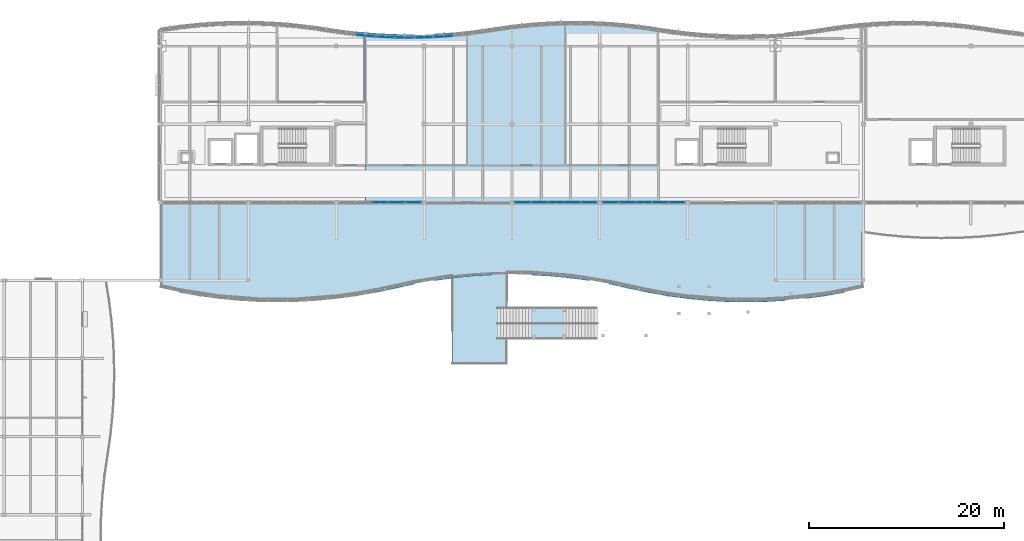
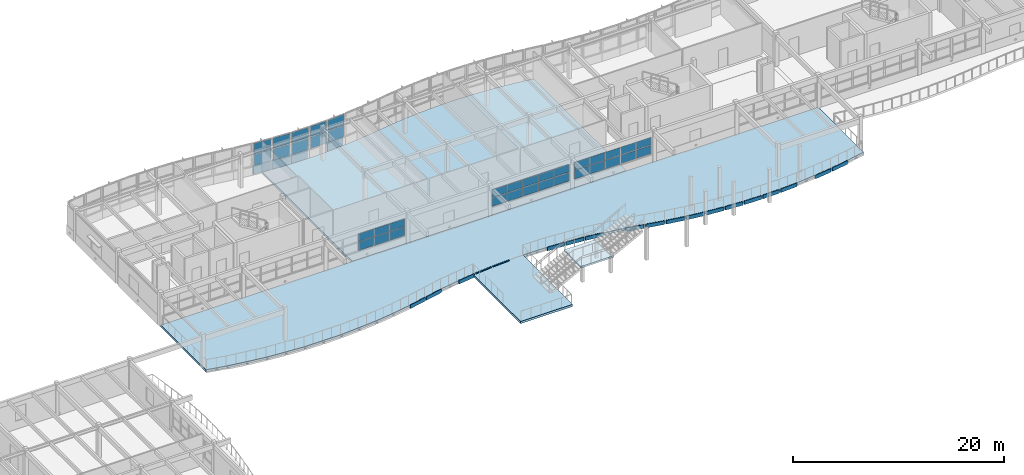
# One storey, part 32 of 63: 59 plates, 3 slabs, 9 elements without a shape of their own.
"""IFC4 building model written with IfcOpenShell, lengths in metres."""

from ifc_helpers import new_model, si_unit, direction, frame, origin, origin_2d, place, context, subcontext, project, spatial, polyline, rectangle, outline, extrude, material, layer, layer_set, type_object, element, aggregate, save


model = new_model("IFC4")

# Units and contexts
model_context = context("Model", 3, precision=1e-05, world=origin(), true_north=direction((0.0, 1.0)))
body_context = subcontext(model_context, "Body", "Model", "MODEL_VIEW")
ifc_project = project(units=[si_unit("LENGTHUNIT", "METRE"), si_unit("AREAUNIT", "SQUARE_METRE"), si_unit("VOLUMEUNIT", "CUBIC_METRE"), si_unit("PLANEANGLEUNIT", "RADIAN"), si_unit("MASSUNIT", "GRAM", prefix="KILO")], contexts=[model_context])

# Site, building, storey
site_placement = place(None, origin())
site = spatial("IfcSite", under=ifc_project, at=site_placement, CompositionType="ELEMENT")
building_placement = place(site_placement, origin())
building = spatial("IfcBuilding", under=site, at=building_placement, Name="Tonlespit Floodbar School", CompositionType="ELEMENT")
storey_placement = place(building_placement, frame((0.0, 0.0, 8.39990234375)))
storey = spatial("IfcBuildingStorey", under=building, at=storey_placement, Name="L02", CompositionType="ELEMENT", Elevation=8.39990234375)

# Curtain wall, plates
ifc_material_1 = material(Name="Anodised Aluminium", Category="aluminium")
ifc_layer_1 = layer(ifc_material_1, 0.159912109375)
ifc_layer_set_1 = layer_set([ifc_layer_1], Name="Anodised Aluminium")
curtain_wall_type_1 = type_object("IfcCurtainWallType", Name="CurtainWall_1900x2700", PredefinedType="NOTDEFINED", material=ifc_layer_set_1)
curtain_wall_1_placement = place(storey_placement, origin())
curtain_wall_1 = element("IfcCurtainWall", 1, at=curtain_wall_1_placement, inside=storey, type_object=curtain_wall_type_1, Name="L02 unitised curtain wall 0093", PredefinedType="NOTDEFINED")
ifc_material_2 = material(Name="Laminated Low-E Glass", Category="glass")
ifc_layer_2 = layer(ifc_material_2, 0.028076171875)
ifc_layer_set_2 = layer_set([ifc_layer_2], Name="Laminated Low-E Glass")
plate_type_1 = type_object("IfcPlateType", Name="CW_Panel_Glaz_28", PredefinedType="CURTAIN_PANEL", material=ifc_layer_set_2)
plate_1_placement = place(storey_placement, frame((67.0, 120.92041015625, 1.01513671875), z_axis=(0.0, 0.0, 1.0), x_axis=(0.998841500616, -0.048121270216, 0.0)))
plate_1 = element("IfcPlate", 2, at=plate_1_placement, type_object=plate_type_1, Name="CW-05 panel 1.1", PredefinedType="CURTAIN_PANEL", context=body_context, shape_type="SweptSolid", body=[
    extrude(rectangle(XDim=1.792236328125, YDim=0.028076171875, at=origin_2d()), origin(), (0.0, 0.0, 1.0), 1.306396484375),
])
plate_2_placement = place(storey_placement, frame((67.0, 120.92041015625, 2.38671875), z_axis=(0.0, 0.0, 1.0), x_axis=(0.998841500616, -0.048121270216, 0.0)))
plate_2 = element("IfcPlate", 3, at=plate_2_placement, type_object=plate_type_1, Name="CW-05 panel 1.2", PredefinedType="CURTAIN_PANEL", context=body_context, shape_type="SweptSolid", body=[
    extrude(rectangle(XDim=1.792236328125, YDim=0.028076171875, at=origin_2d()), origin(), (0.0, 0.0, 1.0), 1.198486328125),
])
aggregate(curtain_wall_1, [plate_1, plate_2])

ifc_layer_3 = layer(ifc_material_1, 0.159912109375)
ifc_layer_set_3 = layer_set([ifc_layer_3], Name="Anodised Aluminium")
curtain_wall_type_2 = type_object("IfcCurtainWallType", Name="CurtainWall_8500x2050", PredefinedType="NOTDEFINED", material=ifc_layer_set_3)
curtain_wall_2_placement = place(storey_placement, origin())
curtain_wall_2 = element("IfcCurtainWall", 4, at=curtain_wall_2_placement, inside=storey, type_object=curtain_wall_type_2, Name="L02 unitised curtain wall 0121", PredefinedType="NOTDEFINED")
plate_3_placement = place(storey_placement, frame((69.891845703125, 104.0, 1.01513671875), z_axis=(0.0, 0.0, 1.0), x_axis=(-1.0, 0.0, 0.0)))
plate_3 = element("IfcPlate", 5, at=plate_3_placement, type_object=plate_type_1, Name="CW-07 panel 1.1", PredefinedType="CURTAIN_PANEL", context=body_context, shape_type="SweptSolid", body=[
    extrude(rectangle(XDim=1.6064453125, YDim=0.028076171875, at=origin_2d()), origin(), (0.0, 0.0, 1.0), 0.97265625),
])
plate_4_placement = place(storey_placement, frame((69.891845703125, 104.0, 2.052734375), z_axis=(0.0, 0.0, 1.0), x_axis=(-1.0, 0.0, 0.0)))
plate_4 = element("IfcPlate", 6, at=plate_4_placement, type_object=plate_type_1, Name="CW-07 panel 1.2", PredefinedType="CURTAIN_PANEL", context=body_context, shape_type="SweptSolid", body=[
    extrude(rectangle(XDim=1.6064453125, YDim=0.028076171875, at=origin_2d()), origin(), (0.0, 0.0, 1.0), 0.890380859375),
])
plate_5_placement = place(storey_placement, frame((68.2041015625, 104.0, 1.01513671875), z_axis=(0.0, 0.0, 1.0), x_axis=(-1.0, 0.0, 0.0)))
plate_5 = element("IfcPlate", 7, at=plate_5_placement, type_object=plate_type_1, Name="CW-07 panel 2.1", PredefinedType="CURTAIN_PANEL", context=body_context, shape_type="SweptSolid", body=[
    extrude(rectangle(XDim=1.638916015625, YDim=0.028076171875, at=origin_2d()), origin(), (0.0, 0.0, 1.0), 0.97265625),
])
plate_6_placement = place(storey_placement, frame((68.2041015625, 104.0, 2.052734375), z_axis=(0.0, 0.0, 1.0), x_axis=(-1.0, 0.0, 0.0)))
plate_6 = element("IfcPlate", 8, at=plate_6_placement, type_object=plate_type_1, Name="CW-07 panel 2.2", PredefinedType="CURTAIN_PANEL", context=body_context, shape_type="SweptSolid", body=[
    extrude(rectangle(XDim=1.638916015625, YDim=0.028076171875, at=origin_2d()), origin(), (0.0, 0.0, 1.0), 0.890380859375),
])
plate_7_placement = place(storey_placement, frame((66.5, 104.0, 1.01513671875), z_axis=(0.0, 0.0, 1.0), x_axis=(-1.0, 0.0, 0.0)))
plate_7 = element("IfcPlate", 9, at=plate_7_placement, type_object=plate_type_1, Name="CW-07 panel 3.1", PredefinedType="CURTAIN_PANEL", context=body_context, shape_type="SweptSolid", body=[
    extrude(rectangle(XDim=1.638916015625, YDim=0.028076171875, at=origin_2d()), origin(), (0.0, 0.0, 1.0), 0.97265625),
])
plate_8_placement = place(storey_placement, frame((66.5, 104.0, 2.052734375), z_axis=(0.0, 0.0, 1.0), x_axis=(-1.0, 0.0, 0.0)))
plate_8 = element("IfcPlate", 10, at=plate_8_placement, type_object=plate_type_1, Name="CW-07 panel 3.2", PredefinedType="CURTAIN_PANEL", context=body_context, shape_type="SweptSolid", body=[
    extrude(rectangle(XDim=1.638916015625, YDim=0.028076171875, at=origin_2d()), origin(), (0.0, 0.0, 1.0), 0.890380859375),
])
aggregate(curtain_wall_2, [plate_3, plate_4, plate_5, plate_6, plate_7, plate_8])

curtain_wall_3_placement = place(storey_placement, origin())
curtain_wall_3 = element("IfcCurtainWall", 11, at=curtain_wall_3_placement, inside=storey, type_object=curtain_wall_type_1, Name="L02 unitised curtain wall 0094", PredefinedType="NOTDEFINED")
ifc_layer_4 = layer(ifc_material_2, 0.031982421875)
ifc_layer_set_4 = layer_set([ifc_layer_4], Name="Laminated Low-E Glass")
plate_type_2 = type_object("IfcPlateType", Name="CW_Panel_Glaz_32", PredefinedType="CURTAIN_PANEL", material=ifc_layer_set_4)
plate_9_placement = place(storey_placement, frame((69.0, 120.862548828125, 1.01513671875), z_axis=(0.0, 0.0, 1.0), x_axis=(0.999954083024, -0.009582893292, 0.0)))
plate_9 = element("IfcPlate", 12, at=plate_9_placement, type_object=plate_type_2, Name="CW-05 panel 1.1", PredefinedType="CURTAIN_PANEL", context=body_context, shape_type="SweptSolid", body=[
    extrude(rectangle(XDim=1.7900390625, YDim=0.031982421875, at=origin_2d()), origin(), (0.0, 0.0, 1.0), 1.306396484375),
])
plate_10_placement = place(storey_placement, frame((69.0, 120.862548828125, 2.38671875), z_axis=(0.0, 0.0, 1.0), x_axis=(0.999954083024, -0.009582893292, 0.0)))
plate_10 = element("IfcPlate", 13, at=plate_10_placement, type_object=plate_type_2, Name="CW-05 panel 1.2", PredefinedType="CURTAIN_PANEL", context=body_context, shape_type="SweptSolid", body=[
    extrude(rectangle(XDim=1.7900390625, YDim=0.031982421875, at=origin_2d()), origin(), (0.0, 0.0, 1.0), 1.198486328125),
])
aggregate(curtain_wall_3, [plate_9, plate_10])

curtain_wall_4_placement = place(storey_placement, origin())
curtain_wall_4 = element("IfcCurtainWall", 14, at=curtain_wall_4_placement, inside=storey, type_object=curtain_wall_type_1, Name="L02 unitised curtain wall 0095", PredefinedType="NOTDEFINED")
ifc_layer_5 = layer(ifc_material_2, 0.035888671875)
ifc_layer_set_5 = layer_set([ifc_layer_5], Name="Laminated Low-E Glass")
plate_type_3 = type_object("IfcPlateType", Name="CW_Panel_Glaz_36", PredefinedType="CURTAIN_PANEL", material=ifc_layer_set_5)
plate_11_placement = place(storey_placement, frame((71.0, 120.8818359375, 1.01513671875), z_axis=(0.0, 0.0, 1.0), x_axis=(0.999585477883, 0.028790144226, 0.0)))
plate_11 = element("IfcPlate", 15, at=plate_11_placement, type_object=plate_type_3, Name="CW-05 panel 1.1", PredefinedType="CURTAIN_PANEL", context=body_context, shape_type="SweptSolid", body=[
    extrude(rectangle(XDim=1.790771484375, YDim=0.035888671875, at=origin_2d()), origin(), (0.0, 0.0, 1.0), 1.306396484375),
])
plate_12_placement = place(storey_placement, frame((71.0, 120.8818359375, 2.38671875), z_axis=(0.0, 0.0, 1.0), x_axis=(0.999585477883, 0.028790144226, 0.0)))
plate_12 = element("IfcPlate", 16, at=plate_12_placement, type_object=plate_type_3, Name="CW-05 panel 1.2", PredefinedType="CURTAIN_PANEL", context=body_context, shape_type="SweptSolid", body=[
    extrude(rectangle(XDim=1.790771484375, YDim=0.035888671875, at=origin_2d()), origin(), (0.0, 0.0, 1.0), 1.198486328125),
])
aggregate(curtain_wall_4, [plate_11, plate_12])

curtain_wall_5_placement = place(storey_placement, origin())
curtain_wall_5 = element("IfcCurtainWall", 17, at=curtain_wall_5_placement, inside=storey, type_object=curtain_wall_type_2, Name="L02 unitised curtain wall 0119", PredefinedType="NOTDEFINED")
plate_13_placement = place(storey_placement, frame((96.891845703125, 104.0, 1.01513671875), z_axis=(0.0, 0.0, 1.0), x_axis=(-1.0, 0.0, 0.0)))
plate_13 = element("IfcPlate", 18, at=plate_13_placement, type_object=plate_type_3, Name="CW-07 panel 1.1", PredefinedType="CURTAIN_PANEL", context=body_context, shape_type="SweptSolid", body=[
    extrude(rectangle(XDim=1.6064453125, YDim=0.035888671875, at=origin_2d()), origin(), (0.0, 0.0, 1.0), 0.97265625),
])
plate_14_placement = place(storey_placement, frame((96.891845703125, 104.0, 2.052734375), z_axis=(0.0, 0.0, 1.0), x_axis=(-1.0, 0.0, 0.0)))
plate_14 = element("IfcPlate", 19, at=plate_14_placement, type_object=plate_type_3, Name="CW-07 panel 1.2", PredefinedType="CURTAIN_PANEL", context=body_context, shape_type="SweptSolid", body=[
    extrude(rectangle(XDim=1.6064453125, YDim=0.035888671875, at=origin_2d()), origin(), (0.0, 0.0, 1.0), 0.890380859375),
])
plate_15_placement = place(storey_placement, frame((95.2041015625, 104.0, 1.01513671875), z_axis=(0.0, 0.0, 1.0), x_axis=(-1.0, 0.0, 0.0)))
plate_15 = element("IfcPlate", 20, at=plate_15_placement, type_object=plate_type_3, Name="CW-07 panel 2.1", PredefinedType="CURTAIN_PANEL", context=body_context, shape_type="SweptSolid", body=[
    extrude(rectangle(XDim=1.638916015625, YDim=0.035888671875, at=origin_2d()), origin(), (0.0, 0.0, 1.0), 0.97265625),
])
plate_16_placement = place(storey_placement, frame((95.2041015625, 104.0, 2.052734375), z_axis=(0.0, 0.0, 1.0), x_axis=(-1.0, 0.0, 0.0)))
plate_16 = element("IfcPlate", 21, at=plate_16_placement, type_object=plate_type_3, Name="CW-07 panel 2.2", PredefinedType="CURTAIN_PANEL", context=body_context, shape_type="SweptSolid", body=[
    extrude(rectangle(XDim=1.638916015625, YDim=0.035888671875, at=origin_2d()), origin(), (0.0, 0.0, 1.0), 0.890380859375),
])
plate_17_placement = place(storey_placement, frame((93.5, 104.0, 1.01513671875), z_axis=(0.0, 0.0, 1.0), x_axis=(-1.0, 0.0, 0.0)))
plate_17 = element("IfcPlate", 22, at=plate_17_placement, type_object=plate_type_3, Name="CW-07 panel 3.1", PredefinedType="CURTAIN_PANEL", context=body_context, shape_type="SweptSolid", body=[
    extrude(rectangle(XDim=1.638916015625, YDim=0.035888671875, at=origin_2d()), origin(), (0.0, 0.0, 1.0), 0.97265625),
])
plate_18_placement = place(storey_placement, frame((93.5, 104.0, 2.052734375), z_axis=(0.0, 0.0, 1.0), x_axis=(-1.0, 0.0, 0.0)))
plate_18 = element("IfcPlate", 23, at=plate_18_placement, type_object=plate_type_3, Name="CW-07 panel 3.2", PredefinedType="CURTAIN_PANEL", context=body_context, shape_type="SweptSolid", body=[
    extrude(rectangle(XDim=1.638916015625, YDim=0.035888671875, at=origin_2d()), origin(), (0.0, 0.0, 1.0), 0.890380859375),
])
plate_19_placement = place(storey_placement, frame((91.7958984375, 104.0, 1.01513671875), z_axis=(0.0, 0.0, 1.0), x_axis=(-1.0, 0.0, 0.0)))
plate_19 = element("IfcPlate", 24, at=plate_19_placement, type_object=plate_type_3, Name="CW-07 panel 4.1", PredefinedType="CURTAIN_PANEL", context=body_context, shape_type="SweptSolid", body=[
    extrude(rectangle(XDim=1.638916015625, YDim=0.035888671875, at=origin_2d()), origin(), (0.0, 0.0, 1.0), 0.97265625),
])
plate_20_placement = place(storey_placement, frame((91.7958984375, 104.0, 2.052734375), z_axis=(0.0, 0.0, 1.0), x_axis=(-1.0, 0.0, 0.0)))
plate_20 = element("IfcPlate", 25, at=plate_20_placement, type_object=plate_type_3, Name="CW-07 panel 4.2", PredefinedType="CURTAIN_PANEL", context=body_context, shape_type="SweptSolid", body=[
    extrude(rectangle(XDim=1.638916015625, YDim=0.035888671875, at=origin_2d()), origin(), (0.0, 0.0, 1.0), 0.890380859375),
])
plate_21_placement = place(storey_placement, frame((90.108154296875, 104.0, 1.01513671875), z_axis=(0.0, 0.0, 1.0), x_axis=(-1.0, 0.0, 0.0)))
plate_21 = element("IfcPlate", 26, at=plate_21_placement, type_object=plate_type_3, Name="CW-07 panel 5.1", PredefinedType="CURTAIN_PANEL", context=body_context, shape_type="SweptSolid", body=[
    extrude(rectangle(XDim=1.6064453125, YDim=0.035888671875, at=origin_2d()), origin(), (0.0, 0.0, 1.0), 0.97265625),
])
plate_22_placement = place(storey_placement, frame((90.108154296875, 104.0, 2.052734375), z_axis=(0.0, 0.0, 1.0), x_axis=(-1.0, 0.0, 0.0)))
plate_22 = element("IfcPlate", 27, at=plate_22_placement, type_object=plate_type_3, Name="CW-07 panel 5.2", PredefinedType="CURTAIN_PANEL", context=body_context, shape_type="SweptSolid", body=[
    extrude(rectangle(XDim=1.6064453125, YDim=0.035888671875, at=origin_2d()), origin(), (0.0, 0.0, 1.0), 0.890380859375),
])
aggregate(curtain_wall_5, [plate_13, plate_14, plate_15, plate_16, plate_17, plate_18, plate_19, plate_20, plate_21, plate_22])

ifc_layer_6 = layer(ifc_material_1, 0.159912109375)
ifc_layer_set_6 = layer_set([ifc_layer_6], Name="Anodised Aluminium")
curtain_wall_type_3 = type_object("IfcCurtainWallType", Name="CurtainWall_1950x2700", PredefinedType="NOTDEFINED", material=ifc_layer_set_6)
curtain_wall_6_placement = place(storey_placement, origin())
curtain_wall_6 = element("IfcCurtainWall", 28, at=curtain_wall_6_placement, inside=storey, type_object=curtain_wall_type_3, Name="L02 unitised curtain wall 0092", PredefinedType="NOTDEFINED")
ifc_layer_7 = layer(ifc_material_2, 0.0419921875)
ifc_layer_set_7 = layer_set([ifc_layer_7], Name="Laminated Low-E Glass")
plate_type_4 = type_object("IfcPlateType", Name="CW_Panel_Glaz_42", PredefinedType="CURTAIN_PANEL", material=ifc_layer_set_7)
plate_23_placement = place(storey_placement, frame((65.0, 121.055419921875, 1.01513671875), z_axis=(0.0, 0.0, 1.0), x_axis=(0.996249148412, -0.086531117454, 0.0)))
plate_23 = element("IfcPlate", 29, at=plate_23_placement, type_object=plate_type_4, Name="CW-04 panel 1.1", PredefinedType="CURTAIN_PANEL", context=body_context, shape_type="SweptSolid", body=[
    extrude(rectangle(XDim=1.797607421875, YDim=0.0419921875, at=origin_2d()), origin(), (0.0, 0.0, 1.0), 1.306396484375),
])
plate_24_placement = place(storey_placement, frame((65.0, 121.055419921875, 2.38671875), z_axis=(0.0, 0.0, 1.0), x_axis=(0.996249148412, -0.086531117454, 0.0)))
plate_24 = element("IfcPlate", 30, at=plate_24_placement, type_object=plate_type_4, Name="CW-04 panel 1.2", PredefinedType="CURTAIN_PANEL", context=body_context, shape_type="SweptSolid", body=[
    extrude(rectangle(XDim=1.797607421875, YDim=0.0419921875, at=origin_2d()), origin(), (0.0, 0.0, 1.0), 1.198486328125),
])
aggregate(curtain_wall_6, [plate_23, plate_24])

curtain_wall_7_placement = place(storey_placement, origin())
curtain_wall_7 = element("IfcCurtainWall", 31, at=curtain_wall_7_placement, inside=storey, type_object=curtain_wall_type_1, Name="L02 unitised curtain wall 0096", PredefinedType="NOTDEFINED")
plate_25_placement = place(storey_placement, frame((73.0, 120.978271484375, 1.01513671875), z_axis=(0.0, 0.0, 1.0), x_axis=(0.99773010165, 0.067339767311, 0.0)))
plate_25 = element("IfcPlate", 32, at=plate_25_placement, type_object=plate_type_4, Name="CW-05 panel 1.1", PredefinedType="CURTAIN_PANEL", context=body_context, shape_type="SweptSolid", body=[
    extrude(rectangle(XDim=1.794677734375, YDim=0.0419921875, at=origin_2d()), origin(), (0.0, 0.0, 1.0), 1.306396484375),
])
plate_26_placement = place(storey_placement, frame((73.0, 120.978271484375, 2.38671875), z_axis=(0.0, 0.0, 1.0), x_axis=(0.99773010165, 0.067339767311, 0.0)))
plate_26 = element("IfcPlate", 33, at=plate_26_placement, type_object=plate_type_4, Name="CW-05 panel 1.2", PredefinedType="CURTAIN_PANEL", context=body_context, shape_type="SweptSolid", body=[
    extrude(rectangle(XDim=1.794677734375, YDim=0.0419921875, at=origin_2d()), origin(), (0.0, 0.0, 1.0), 1.198486328125),
])
aggregate(curtain_wall_7, [plate_25, plate_26])

curtain_wall_8_placement = place(storey_placement, origin())
curtain_wall_8 = element("IfcCurtainWall", 34, at=curtain_wall_8_placement, inside=storey, type_object=curtain_wall_type_2, Name="L02 unitised curtain wall 0120", PredefinedType="NOTDEFINED")
plate_27_placement = place(storey_placement, frame((87.891845703125, 104.0, 1.01513671875), z_axis=(0.0, 0.0, 1.0), x_axis=(-1.0, 0.0, 0.0)))
plate_27 = element("IfcPlate", 35, at=plate_27_placement, type_object=plate_type_4, Name="CW-07 panel 1.1", PredefinedType="CURTAIN_PANEL", context=body_context, shape_type="SweptSolid", body=[
    extrude(rectangle(XDim=1.6064453125, YDim=0.0419921875, at=origin_2d()), origin(), (0.0, 0.0, 1.0), 0.97265625),
])
plate_28_placement = place(storey_placement, frame((87.891845703125, 104.0, 2.052734375), z_axis=(0.0, 0.0, 1.0), x_axis=(-1.0, 0.0, 0.0)))
plate_28 = element("IfcPlate", 36, at=plate_28_placement, type_object=plate_type_4, Name="CW-07 panel 1.2", PredefinedType="CURTAIN_PANEL", context=body_context, shape_type="SweptSolid", body=[
    extrude(rectangle(XDim=1.6064453125, YDim=0.0419921875, at=origin_2d()), origin(), (0.0, 0.0, 1.0), 0.890380859375),
])
plate_29_placement = place(storey_placement, frame((86.2041015625, 104.0, 1.01513671875), z_axis=(0.0, 0.0, 1.0), x_axis=(-1.0, 0.0, 0.0)))
plate_29 = element("IfcPlate", 37, at=plate_29_placement, type_object=plate_type_4, Name="CW-07 panel 2.1", PredefinedType="CURTAIN_PANEL", context=body_context, shape_type="SweptSolid", body=[
    extrude(rectangle(XDim=1.638916015625, YDim=0.0419921875, at=origin_2d()), origin(), (0.0, 0.0, 1.0), 0.97265625),
])
plate_30_placement = place(storey_placement, frame((86.2041015625, 104.0, 2.052734375), z_axis=(0.0, 0.0, 1.0), x_axis=(-1.0, 0.0, 0.0)))
plate_30 = element("IfcPlate", 38, at=plate_30_placement, type_object=plate_type_4, Name="CW-07 panel 2.2", PredefinedType="CURTAIN_PANEL", context=body_context, shape_type="SweptSolid", body=[
    extrude(rectangle(XDim=1.638916015625, YDim=0.0419921875, at=origin_2d()), origin(), (0.0, 0.0, 1.0), 0.890380859375),
])
plate_31_placement = place(storey_placement, frame((84.5, 104.0, 1.01513671875), z_axis=(0.0, 0.0, 1.0), x_axis=(-1.0, 0.0, 0.0)))
plate_31 = element("IfcPlate", 39, at=plate_31_placement, type_object=plate_type_4, Name="CW-07 panel 3.1", PredefinedType="CURTAIN_PANEL", context=body_context, shape_type="SweptSolid", body=[
    extrude(rectangle(XDim=1.638916015625, YDim=0.0419921875, at=origin_2d()), origin(), (0.0, 0.0, 1.0), 0.97265625),
])
plate_32_placement = place(storey_placement, frame((84.5, 104.0, 2.052734375), z_axis=(0.0, 0.0, 1.0), x_axis=(-1.0, 0.0, 0.0)))
plate_32 = element("IfcPlate", 40, at=plate_32_placement, type_object=plate_type_4, Name="CW-07 panel 3.2", PredefinedType="CURTAIN_PANEL", context=body_context, shape_type="SweptSolid", body=[
    extrude(rectangle(XDim=1.638916015625, YDim=0.0419921875, at=origin_2d()), origin(), (0.0, 0.0, 1.0), 0.890380859375),
])
plate_33_placement = place(storey_placement, frame((82.7958984375, 104.0, 1.01513671875), z_axis=(0.0, 0.0, 1.0), x_axis=(-1.0, 0.0, 0.0)))
plate_33 = element("IfcPlate", 41, at=plate_33_placement, type_object=plate_type_4, Name="CW-07 panel 4.1", PredefinedType="CURTAIN_PANEL", context=body_context, shape_type="SweptSolid", body=[
    extrude(rectangle(XDim=1.638916015625, YDim=0.0419921875, at=origin_2d()), origin(), (0.0, 0.0, 1.0), 0.97265625),
])
plate_34_placement = place(storey_placement, frame((82.7958984375, 104.0, 2.052734375), z_axis=(0.0, 0.0, 1.0), x_axis=(-1.0, 0.0, 0.0)))
plate_34 = element("IfcPlate", 42, at=plate_34_placement, type_object=plate_type_4, Name="CW-07 panel 4.2", PredefinedType="CURTAIN_PANEL", context=body_context, shape_type="SweptSolid", body=[
    extrude(rectangle(XDim=1.638916015625, YDim=0.0419921875, at=origin_2d()), origin(), (0.0, 0.0, 1.0), 0.890380859375),
])
plate_35_placement = place(storey_placement, frame((81.108154296875, 104.0, 1.01513671875), z_axis=(0.0, 0.0, 1.0), x_axis=(-1.0, 0.0, 0.0)))
plate_35 = element("IfcPlate", 43, at=plate_35_placement, type_object=plate_type_4, Name="CW-07 panel 5.1", PredefinedType="CURTAIN_PANEL", context=body_context, shape_type="SweptSolid", body=[
    extrude(rectangle(XDim=1.6064453125, YDim=0.0419921875, at=origin_2d()), origin(), (0.0, 0.0, 1.0), 0.97265625),
])
plate_36_placement = place(storey_placement, frame((81.108154296875, 104.0, 2.052734375), z_axis=(0.0, 0.0, 1.0), x_axis=(-1.0, 0.0, 0.0)))
plate_36 = element("IfcPlate", 44, at=plate_36_placement, type_object=plate_type_4, Name="CW-07 panel 5.2", PredefinedType="CURTAIN_PANEL", context=body_context, shape_type="SweptSolid", body=[
    extrude(rectangle(XDim=1.6064453125, YDim=0.0419921875, at=origin_2d()), origin(), (0.0, 0.0, 1.0), 0.890380859375),
])
aggregate(curtain_wall_8, [plate_27, plate_28, plate_29, plate_30, plate_31, plate_32, plate_33, plate_34, plate_35, plate_36])

# Plates
ifc_material_3 = material(Name="White Architectural Aluminium", Category="aluminium")
ifc_layer_8 = layer(ifc_material_3, 0.06494140625)
ifc_layer_set_8 = layer_set([ifc_layer_8], Name="White Architectural Aluminium")
plate_type_5 = type_object("IfcPlateType", Name="FacadeRibbon_White_65", PredefinedType="SHEET", material=ifc_layer_set_8)
plate_37_placement = place(storey_placement, frame((65.015869140625, 121.23681640625, -0.1201171875), z_axis=(0.0, 0.0, 1.0), x_axis=(0.996245486492, -0.086573267488, 0.0)))
element("IfcPlate", 45, at=plate_37_placement, inside=storey, type_object=plate_type_5, Name="L02 flowing white street spandrel ribbon 0141", PredefinedType="SHEET", context=body_context, shape_type="SweptSolid", body=[
    extrude(rectangle(XDim=1.847412109375, YDim=0.06494140625, at=origin_2d()), origin(), (0.0, 0.0, 1.0), 1.070068359375),
])
plate_38_placement = place(storey_placement, frame((67.0087890625, 121.10205078125, -0.1201171875), z_axis=(0.0, 0.0, 1.0), x_axis=(0.998842769234, -0.048094930587, 0.0)))
element("IfcPlate", 46, at=plate_38_placement, inside=storey, type_object=plate_type_5, Name="L02 flowing white street spandrel ribbon 0142", PredefinedType="SHEET", context=body_context, shape_type="SweptSolid", body=[
    extrude(rectangle(XDim=1.84228515625, YDim=0.06494140625, at=origin_2d()), origin(), (0.0, 0.0, 1.0), 1.070068359375),
])
plate_39_placement = place(storey_placement, frame((69.001708984375, 121.044677734375, -0.1201171875), z_axis=(0.0, 0.0, 1.0), x_axis=(0.999953926969, -0.009599163462, 0.0)))
element("IfcPlate", 47, at=plate_39_placement, inside=storey, type_object=plate_type_5, Name="L02 flowing white street spandrel ribbon 0143", PredefinedType="SHEET", context=body_context, shape_type="SweptSolid", body=[
    extrude(rectangle(XDim=1.840087890625, YDim=0.06494140625, at=origin_2d()), origin(), (0.0, 0.0, 1.0), 1.070068359375),
])
plate_40_placement = place(storey_placement, frame((72.98779296875, 121.159912109375, -0.1201171875), z_axis=(0.0, 0.0, 1.0), x_axis=(0.997729639049, 0.067346621018, 0.0)))
element("IfcPlate", 48, at=plate_40_placement, inside=storey, type_object=plate_type_5, Name="L02 flowing white street spandrel ribbon 0145", PredefinedType="SHEET", context=body_context, shape_type="SweptSolid", body=[
    extrude(rectangle(XDim=1.844482421875, YDim=0.06494140625, at=origin_2d()), origin(), (0.0, 0.0, 1.0), 1.070068359375),
])
for number, where, z_axis, x_axis, name in (
    (49, (67.0, 95.0615234375, -0.2998046875), (0.0, 0.0, 1.0), (0.977356843161, 0.21159773422, 0.0), "L02 flowing white street spandrel ribbon 0189"),
    (50, (69.0, 95.494384765625, -0.2998046875), (0.0, 0.0, 1.0), (0.977356843161, 0.21159773422, 0.0), "L02 flowing white street spandrel ribbon 0190"),
):
    element("IfcPlate", number, at=place(storey_placement, frame(where, z_axis=z_axis, x_axis=x_axis)), inside=storey, type_object=plate_type_5, Name=name, PredefinedType="SHEET", context=body_context, shape_type="SweptSolid", body=[
        extrude(rectangle(XDim=1.88623046875, YDim=0.06494140625, at=origin_2d()), origin(), (0.0, 0.0, 1.0), 0.419921875),
    ])
plate_41_placement = place(storey_placement, frame((73.0, 96.1982421875, -0.2998046875), z_axis=(0.0, 0.0, 1.0), x_axis=(0.990898113281, 0.13461400037, 0.0)))
element("IfcPlate", 51, at=plate_41_placement, inside=storey, type_object=plate_type_5, Name="L02 flowing white street spandrel ribbon 0192", PredefinedType="SHEET", context=body_context, shape_type="SweptSolid", body=[
    extrude(rectangle(XDim=1.8583984375, YDim=0.06494140625, at=origin_2d()), origin(), (0.0, 0.0, 1.0), 0.419921875),
])
plate_42_placement = place(storey_placement, frame((75.0, 96.430908203125, -0.2998046875), z_axis=(0.0, 0.0, 1.0), x_axis=(0.995361841764, 0.096201891669, 0.0)))
element("IfcPlate", 52, at=plate_42_placement, inside=storey, type_object=plate_type_5, Name="L02 flowing white street spandrel ribbon 0193", PredefinedType="SHEET", context=body_context, shape_type="SweptSolid", body=[
    extrude(rectangle(XDim=1.849365234375, YDim=0.06494140625, at=origin_2d()), origin(), (0.0, 0.0, 1.0), 0.419921875),
])
for number, where, z_axis, x_axis, name in (
    (53, (77.0, 96.585205078125, -0.2998046875), (0.0, 0.0, 1.0), (0.998333769428, 0.057703421212, 0.0), "L02 flowing white street spandrel ribbon 0194"),
    (54, (83.0, 96.585205078125, -0.2998046875), (0.0, 0.0, 1.0), (0.998333769428, -0.057703421212, 0.0), "L02 flowing white street spandrel ribbon 0197"),
):
    element("IfcPlate", number, at=place(storey_placement, frame(where, z_axis=z_axis, x_axis=x_axis)), inside=storey, type_object=plate_type_5, Name=name, PredefinedType="SHEET", context=body_context, shape_type="SweptSolid", body=[
        extrude(rectangle(XDim=1.84326171875, YDim=0.06494140625, at=origin_2d()), origin(), (0.0, 0.0, 1.0), 0.419921875),
    ])
plate_43_placement = place(storey_placement, frame((85.0, 96.430908203125, -0.2998046875), z_axis=(0.0, 0.0, 1.0), x_axis=(0.995361841764, -0.096201891669, 0.0)))
element("IfcPlate", 55, at=plate_43_placement, inside=storey, type_object=plate_type_5, Name="L02 flowing white street spandrel ribbon 0198", PredefinedType="SHEET", context=body_context, shape_type="SweptSolid", body=[
    extrude(rectangle(XDim=1.849365234375, YDim=0.06494140625, at=origin_2d()), origin(), (0.0, 0.0, 1.0), 0.419921875),
])
plate_44_placement = place(storey_placement, frame((87.0, 96.1982421875, -0.2998046875), z_axis=(0.0, 0.0, 1.0), x_axis=(0.990898113281, -0.13461400037, 0.0)))
element("IfcPlate", 56, at=plate_44_placement, inside=storey, type_object=plate_type_5, Name="L02 flowing white street spandrel ribbon 0199", PredefinedType="SHEET", context=body_context, shape_type="SweptSolid", body=[
    extrude(rectangle(XDim=1.8583984375, YDim=0.06494140625, at=origin_2d()), origin(), (0.0, 0.0, 1.0), 0.419921875),
])
for number, where, z_axis, x_axis, name in (
    (57, (91.0, 95.494384765625, -0.2998046875), (0.0, 0.0, 1.0), (0.977356843161, -0.21159773422, 0.0), "L02 flowing white street spandrel ribbon 0201"),
    (58, (93.0, 95.0615234375, -0.2998046875), (0.0, 0.0, 1.0), (0.977356843161, -0.21159773422, 0.0), "L02 flowing white street spandrel ribbon 0202"),
):
    element("IfcPlate", number, at=place(storey_placement, frame(where, z_axis=z_axis, x_axis=x_axis)), inside=storey, type_object=plate_type_5, Name=name, PredefinedType="SHEET", context=body_context, shape_type="SweptSolid", body=[
        extrude(rectangle(XDim=1.88623046875, YDim=0.06494140625, at=origin_2d()), origin(), (0.0, 0.0, 1.0), 0.419921875),
    ])
plate_45_placement = place(storey_placement, frame((95.0, 94.669189453125, -0.2998046875), z_axis=(0.0, 0.0, 1.0), x_axis=(0.984904884962, -0.17309641122, 0.0)))
element("IfcPlate", 59, at=plate_45_placement, inside=storey, type_object=plate_type_5, Name="L02 flowing white street spandrel ribbon 0203", PredefinedType="SHEET", context=body_context, shape_type="SweptSolid", body=[
    extrude(rectangle(XDim=1.87060546875, YDim=0.06494140625, at=origin_2d()), origin(), (0.0, 0.0, 1.0), 0.419921875),
])
plate_46_placement = place(storey_placement, frame((97.0, 94.357666015625, -0.2998046875), z_axis=(0.0, 0.0, 1.0), x_axis=(0.990898113281, -0.13461400037, 0.0)))
element("IfcPlate", 60, at=plate_46_placement, inside=storey, type_object=plate_type_5, Name="L02 flowing white street spandrel ribbon 0204", PredefinedType="SHEET", context=body_context, shape_type="SweptSolid", body=[
    extrude(rectangle(XDim=1.8583984375, YDim=0.06494140625, at=origin_2d()), origin(), (0.0, 0.0, 1.0), 0.419921875),
])
plate_47_placement = place(storey_placement, frame((99.0, 94.125244140625, -0.2998046875), z_axis=(0.0, 0.0, 1.0), x_axis=(0.995361841764, -0.096201891669, 0.0)))
element("IfcPlate", 61, at=plate_47_placement, inside=storey, type_object=plate_type_5, Name="L02 flowing white street spandrel ribbon 0205", PredefinedType="SHEET", context=body_context, shape_type="SweptSolid", body=[
    extrude(rectangle(XDim=1.849365234375, YDim=0.06494140625, at=origin_2d()), origin(), (0.0, 0.0, 1.0), 0.419921875),
])
plate_48_placement = place(storey_placement, frame((101.0, 93.970703125, -0.2998046875), z_axis=(0.0, 0.0, 1.0), x_axis=(0.998333769428, -0.057703421212, 0.0)))
element("IfcPlate", 62, at=plate_48_placement, inside=storey, type_object=plate_type_5, Name="L02 flowing white street spandrel ribbon 0206", PredefinedType="SHEET", context=body_context, shape_type="SweptSolid", body=[
    extrude(rectangle(XDim=1.84326171875, YDim=0.06494140625, at=origin_2d()), origin(), (0.0, 0.0, 1.0), 0.419921875),
])
for number, where, z_axis, x_axis, name in (
    (63, (103.0, 93.8935546875, -0.2998046875), (0.0, 0.0, 1.0), (0.999814772764, -0.01924630259, 0.0), "L02 flowing white street spandrel ribbon 0207"),
    (64, (105.0, 93.8935546875, -0.2998046875), (0.0, 0.0, 1.0), (0.999814772764, 0.01924630259, 0.0), "L02 flowing white street spandrel ribbon 0208"),
):
    element("IfcPlate", number, at=place(storey_placement, frame(where, z_axis=z_axis, x_axis=x_axis)), inside=storey, type_object=plate_type_5, Name=name, PredefinedType="SHEET", context=body_context, shape_type="SweptSolid", body=[
        extrude(rectangle(XDim=1.84033203125, YDim=0.06494140625, at=origin_2d()), origin(), (0.0, 0.0, 1.0), 0.419921875),
    ])
plate_49_placement = place(storey_placement, frame((107.0, 93.970703125, -0.2998046875), z_axis=(0.0, 0.0, 1.0), x_axis=(0.998333769428, 0.057703421212, 0.0)))
element("IfcPlate", 65, at=plate_49_placement, inside=storey, type_object=plate_type_5, Name="L02 flowing white street spandrel ribbon 0209", PredefinedType="SHEET", context=body_context, shape_type="SweptSolid", body=[
    extrude(rectangle(XDim=1.84326171875, YDim=0.06494140625, at=origin_2d()), origin(), (0.0, 0.0, 1.0), 0.419921875),
])
plate_50_placement = place(storey_placement, frame((111.0, 94.357666015625, -0.2998046875), z_axis=(0.0, 0.0, 1.0), x_axis=(0.990898113281, 0.13461400037, 0.0)))
element("IfcPlate", 66, at=plate_50_placement, inside=storey, type_object=plate_type_5, Name="L02 flowing white street spandrel ribbon 0211", PredefinedType="SHEET", context=body_context, shape_type="SweptSolid", body=[
    extrude(rectangle(XDim=1.8583984375, YDim=0.06494140625, at=origin_2d()), origin(), (0.0, 0.0, 1.0), 0.419921875),
])
plate_51_placement = place(storey_placement, frame((113.0, 94.669189453125, -0.2998046875), z_axis=(0.0, 0.0, 1.0), x_axis=(0.984904884962, 0.17309641122, 0.0)))
element("IfcPlate", 67, at=plate_51_placement, inside=storey, type_object=plate_type_5, Name="L02 flowing white street spandrel ribbon 0212", PredefinedType="SHEET", context=body_context, shape_type="SweptSolid", body=[
    extrude(rectangle(XDim=1.87060546875, YDim=0.06494140625, at=origin_2d()), origin(), (0.0, 0.0, 1.0), 0.419921875),
])

# Stair, slab
ifc_material_4 = material(Name="White Architectural Precast concrete C40/50", Category="concrete")
stair_type = type_object("IfcStairType", Name="Stair_Court_3200_Upp", PredefinedType="STRAIGHT_RUN_STAIR", material=ifc_material_4)
stair_placement = place(storey_placement, origin())
stair = element("IfcStair", 68, at=stair_placement, inside=storey, type_object=stair_type, Name="L02 stair ST-CT3", PredefinedType="STRAIGHT_RUN_STAIR")
ifc_layer_9 = layer(ifc_material_4, 0.199951171875)
ifc_layer_set_9 = layer_set([ifc_layer_9], Name="White Architectural Precast concrete C40/50")
slab_type_1 = type_object("IfcSlabType", Name="Landing_Court_RC215", PredefinedType="LANDING", material=ifc_layer_set_9)
slab_1_placement = place(storey_placement, frame((0.0, 0.0, 1.75)))
slab_1 = element("IfcSlab", 69, at=slab_1_placement, type_object=slab_type_1, Name="ST-CT3 landing 1", PredefinedType="LANDING", context=body_context, shape_type="SweptSolid", body=[
    extrude(outline(polyline([(81.93994140625, 90.0), (85.580078125, 90.0), (85.580078125, 93.199951171875), (81.93994140625, 93.199951171875), (81.93994140625, 90.0)])), origin(), (0.0, 0.0, 1.0), 0.2001953125),
])
aggregate(stair, [slab_1])

# Slabs
ifc_material_5 = material(Name="CLT C24", Category="wood")
ifc_layer_10 = layer(ifc_material_5, 0.2548828125)
ifc_layer_set_10 = layer_set([ifc_layer_10], Name="CLT C24")
slab_type_2 = type_object("IfcSlabType", Name="Slab_Floor_CLT_220", PredefinedType="FLOOR", material=ifc_layer_set_10)
slab_2_placement = place(storey_placement, frame((0.0, 0.0, -0.2548828125)))
element("IfcSlab", 70, at=slab_2_placement, inside=storey, type_object=slab_type_2, Name="L02 V1 L02 central curved spine slab", PredefinedType="FLOOR", context=body_context, shape_type="SweptSolid", body=[
    extrude(outline(polyline([(65.0, 104.0), (95.0, 104.0), (95.0, 121.550048828125), (93.0, 121.841552734375), (91.0, 122.05419921875), (89.0, 122.189208984375), (87.0, 122.2470703125), (85.0, 122.227783203125), (83.0, 122.131591796875), (81.0, 121.957763671875), (79.0, 121.705810546875), (77.0, 121.394287109375), (75.0, 121.142333984375), (73.0, 120.968505859375), (71.0, 120.872314453125), (69.0, 120.85302734375), (67.0, 120.91064453125), (65.0, 121.045654296875), (65.0, 104.0)])), origin(), (0.0, 0.0, 1.0), 0.2548828125),
])
ifc_layer_11 = layer(ifc_material_5, 0.251953125)
ifc_layer_set_11 = layer_set([ifc_layer_11], Name="CLT C24")
slab_type_3 = type_object("IfcSlabType", Name="Slab_Terrace_CLT_210", PredefinedType="FLOOR", material=ifc_layer_set_11)
slab_3_placement = place(storey_placement, frame((0.0, 0.0, -0.251953125)))
element("IfcSlab", 71, at=slab_3_placement, inside=storey, type_object=slab_type_3, Name="L02 V1 curved courtyard gallery step 1", PredefinedType="FLOOR", context=body_context, shape_type="SweptSolid", body=[
    extrude(outline(polyline([(79.5400390625, 87.39990234375), (73.840087890625, 87.39990234375), (73.840087890625, 96.4345703125), (70.0, 95.8330078125), (66.0, 94.967041015625), (64.0, 94.615478515625), (62.0, 94.34375), (58.0, 94.034912109375), (54.0, 94.034912109375), (50.0, 94.34375), (46.0, 94.967041015625), (44.0, 95.39990234375), (44.0, 104.0), (116.0, 104.0), (116.0, 95.39990234375), (114.0, 94.967041015625), (112.0, 94.615478515625), (108.0, 94.150390625), (106.0, 94.034912109375), (102.0, 94.034912109375), (98.0, 94.34375), (96.0, 94.615478515625), (94.0, 94.967041015625), (90.0, 95.8330078125), (86.0, 96.456298828125), (82.0, 96.76513671875), (79.5400390625, 96.794677734375), (79.5400390625, 87.39990234375)])), origin(), (0.0, 0.0, 1.0), 0.251953125),
])

save(model, "model.ifc")
